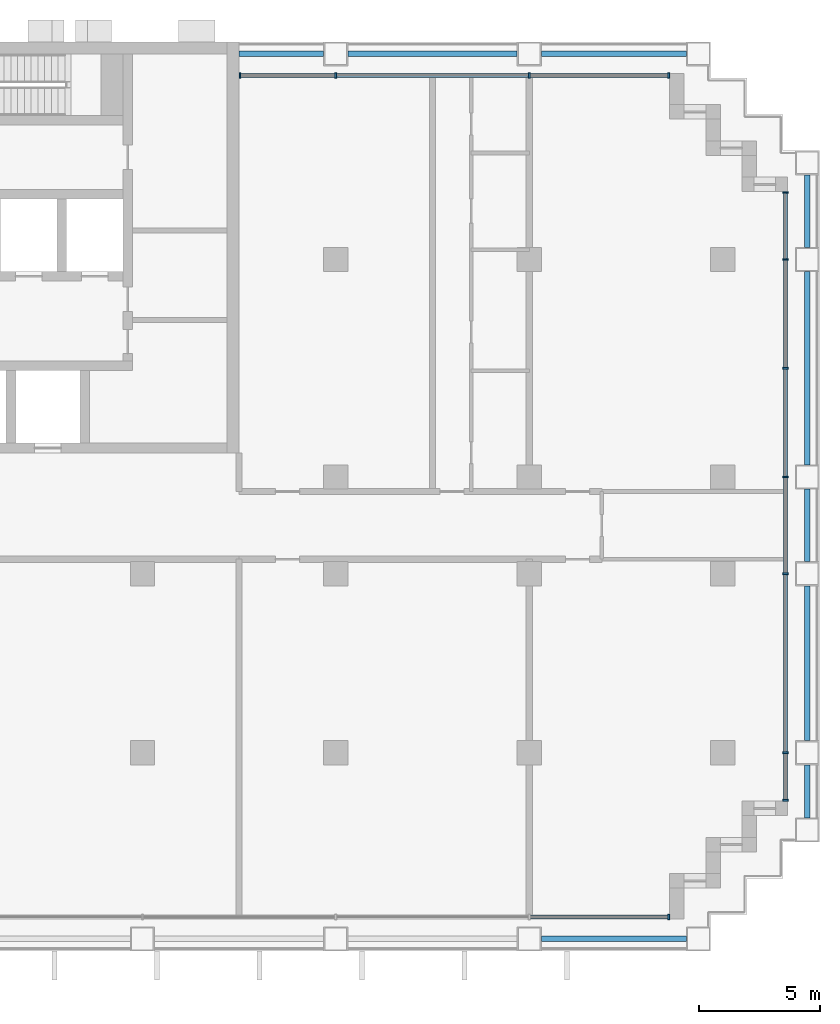
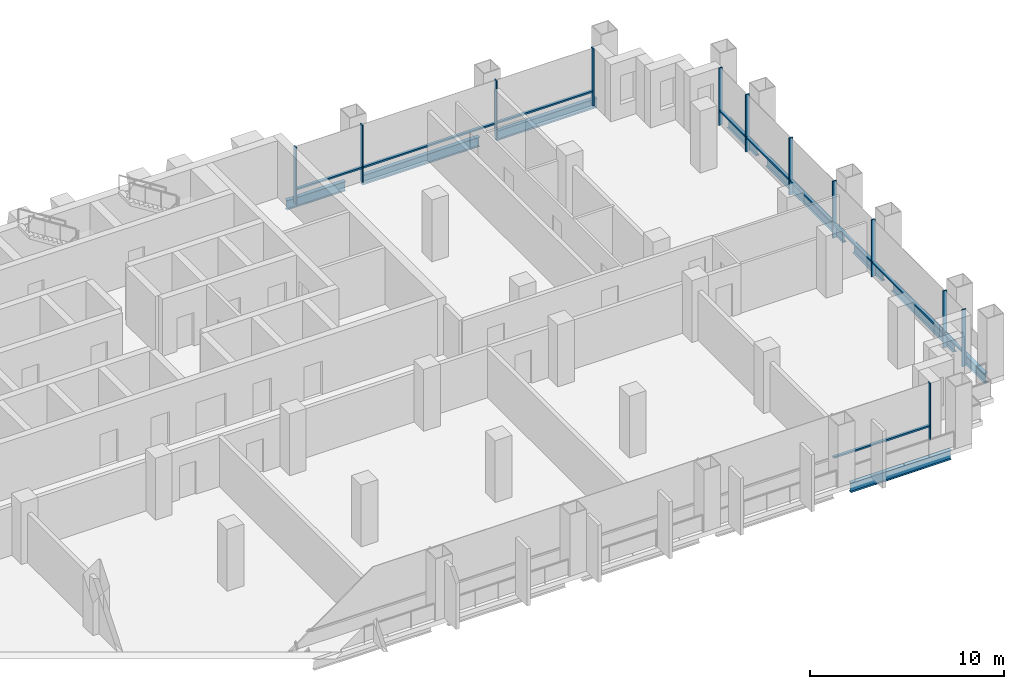
# One storey, part 5 of 13: 22 members, 9 beams, 3 elements without a shape of their own.
"""IFC4 building model written with IfcOpenShell, lengths in metres."""

from ifc_helpers import new_model, si_unit, direction, frame, origin, origin_2d, place, context, subcontext, project, spatial, rectangle, i_section, extrude, material, material_profile, profile_set, type_object, element, aggregate, save


model = new_model("IFC4")

# Units and contexts
model_context = context("Model", 3, precision=1e-05, world=origin(), true_north=direction((0.0, 1.0)))
body_context = subcontext(model_context, "Body", "Model", "MODEL_VIEW")
ifc_project = project(units=[si_unit("LENGTHUNIT", "METRE"), si_unit("AREAUNIT", "SQUARE_METRE"), si_unit("VOLUMEUNIT", "CUBIC_METRE"), si_unit("PLANEANGLEUNIT", "RADIAN"), si_unit("MASSUNIT", "GRAM", prefix="KILO")], contexts=[model_context])

# Site, building, storey
site_placement = place(None, origin())
site = spatial("IfcSite", under=ifc_project, at=site_placement, CompositionType="ELEMENT")
building_placement = place(site_placement, origin())
building = spatial("IfcBuilding", under=site, at=building_placement, Name="Vidyagriha Tower", CompositionType="ELEMENT")
storey_placement = place(building_placement, frame((0.0, 0.0, 33.800048828125)))
storey = spatial("IfcBuildingStorey", under=building, at=storey_placement, Name="L08", CompositionType="ELEMENT", Elevation=33.800048828125)

# Beams
ifc_material_1 = material(Name="Steel ASTM A992 Grade 50", Category="steel")
ifc_material_profile_1 = material_profile(ifc_material_1, i_section(OverallWidth=0.228271484375, OverallDepth=0.607177734375, WebThickness=0.01123046875, FlangeThickness=0.017333984375, at=origin_2d()), Name="W24X76")
ifc_profile_set_1 = profile_set([ifc_material_profile_1], Name="Steel ASTM A992 Grade 50")
beam_type = type_object("IfcBeamType", Name="Edge beam W24X76", PredefinedType="SPANDREL", material=ifc_profile_set_1)
beam_1_placement = place(storey_placement, frame((26.5, -17.10009765625, -0.603515625), z_axis=(1.0, 0.0, 0.0), x_axis=(0.0, 1.0, 0.0)))
element("IfcBeam", 1, at=beam_1_placement, inside=storey, type_object=beam_type, Name="st-beam-L08-S09", PredefinedType="SPANDREL", context=body_context, shape_type="SweptSolid", body=[
    extrude(i_section(OverallWidth=0.228271484375, OverallDepth=0.607177734375, WebThickness=0.01123046875, FlangeThickness=0.017333984375, at=origin_2d()), origin(), (0.0, 0.0, 1.0), 6.0),
])
beam_2_placement = place(storey_placement, frame((37.5, -12.10009765625, -0.603515625), z_axis=(0.0, 1.0, 0.0), x_axis=(-1.0, 0.0, 0.0)))
element("IfcBeam", 2, at=beam_2_placement, inside=storey, type_object=beam_type, Name="st-beam-L08-E15", PredefinedType="SPANDREL", context=body_context, shape_type="SweptSolid", body=[
    extrude(i_section(OverallWidth=0.228271484375, OverallDepth=0.607177734375, WebThickness=0.01123046875, FlangeThickness=0.017333984375, at=origin_2d()), origin(), (0.0, 0.0, 1.0), 2.2001953125),
])
beam_3_placement = place(storey_placement, frame((37.5, -8.89990234375, -0.603515625), z_axis=(0.0, 1.0, 0.0), x_axis=(-1.0, 0.0, 0.0)))
element("IfcBeam", 3, at=beam_3_placement, inside=storey, type_object=beam_type, Name="st-beam-L08-E16", PredefinedType="SPANDREL", context=body_context, shape_type="SweptSolid", body=[
    extrude(i_section(OverallWidth=0.228271484375, OverallDepth=0.607177734375, WebThickness=0.01123046875, FlangeThickness=0.017333984375, at=origin_2d()), origin(), (0.0, 0.0, 1.0), 6.39990234375),
])
beam_4_placement = place(storey_placement, frame((37.5, -1.5, -0.603515625), z_axis=(0.0, 1.0, 0.0), x_axis=(-1.0, 0.0, 0.0)))
element("IfcBeam", 4, at=beam_4_placement, inside=storey, type_object=beam_type, Name="st-beam-L08-E17", PredefinedType="SPANDREL", context=body_context, shape_type="SweptSolid", body=[
    extrude(i_section(OverallWidth=0.228271484375, OverallDepth=0.607177734375, WebThickness=0.01123046875, FlangeThickness=0.017333984375, at=origin_2d()), origin(), (0.0, 0.0, 1.0), 3.0),
])
beam_5_placement = place(storey_placement, frame((37.5, 2.5, -0.603515625), z_axis=(0.0, 1.0, 0.0), x_axis=(-1.0, 0.0, 0.0)))
element("IfcBeam", 5, at=beam_5_placement, inside=storey, type_object=beam_type, Name="st-beam-L08-E18", PredefinedType="SPANDREL", context=body_context, shape_type="SweptSolid", body=[
    extrude(i_section(OverallWidth=0.228271484375, OverallDepth=0.607177734375, WebThickness=0.01123046875, FlangeThickness=0.017333984375, at=origin_2d()), origin(), (0.0, 0.0, 1.0), 8.0),
])
beam_6_placement = place(storey_placement, frame((37.5, 11.5, -0.603515625), z_axis=(0.0, 1.0, 0.0), x_axis=(-1.0, 0.0, 0.0)))
element("IfcBeam", 6, at=beam_6_placement, inside=storey, type_object=beam_type, Name="st-beam-L08-E19", PredefinedType="SPANDREL", context=body_context, shape_type="SweptSolid", body=[
    extrude(i_section(OverallWidth=0.228271484375, OverallDepth=0.607177734375, WebThickness=0.01123046875, FlangeThickness=0.017333984375, at=origin_2d()), origin(), (0.0, 0.0, 1.0), 3.0),
])
beam_7_placement = place(storey_placement, frame((18.5, 19.5, -0.603515625), z_axis=(1.0, 0.0, 0.0), x_axis=(0.0, 1.0, 0.0)))
element("IfcBeam", 7, at=beam_7_placement, inside=storey, type_object=beam_type, Name="st-beam-L08-NE22", PredefinedType="SPANDREL", context=body_context, shape_type="SweptSolid", body=[
    extrude(i_section(OverallWidth=0.228271484375, OverallDepth=0.607177734375, WebThickness=0.01123046875, FlangeThickness=0.017333984375, at=origin_2d()), origin(), (0.0, 0.0, 1.0), 7.0),
])
beam_8_placement = place(storey_placement, frame((26.5, 19.5, -0.603515625), z_axis=(1.0, 0.0, 0.0), x_axis=(0.0, 1.0, 0.0)))
element("IfcBeam", 8, at=beam_8_placement, inside=storey, type_object=beam_type, Name="st-beam-L08-NE23", PredefinedType="SPANDREL", context=body_context, shape_type="SweptSolid", body=[
    extrude(i_section(OverallWidth=0.228271484375, OverallDepth=0.607177734375, WebThickness=0.01123046875, FlangeThickness=0.017333984375, at=origin_2d()), origin(), (0.0, 0.0, 1.0), 6.0),
])
beam_9_placement = place(storey_placement, frame((14.0, 19.5, -0.603515625), z_axis=(1.0, 0.0, 0.0), x_axis=(0.0, 1.0, 0.0)))
element("IfcBeam", 9, at=beam_9_placement, inside=storey, type_object=beam_type, Name="st-beam-L08-NC25", PredefinedType="SPANDREL", context=body_context, shape_type="SweptSolid", body=[
    extrude(i_section(OverallWidth=0.228271484375, OverallDepth=0.607177734375, WebThickness=0.01123046875, FlangeThickness=0.017333984375, at=origin_2d()), origin(), (0.0, 0.0, 1.0), 3.5),
])

# Curtain wall, members
ifc_material_2 = material(Name="Aluminium and glass curtain wall", Category="aluminium")
curtain_wall_type = type_object("IfcCurtainWallType", Name="Classroom skin unitised curtain wall", PredefinedType="USERDEFINED", material=ifc_material_2)
curtain_wall_1_placement = place(storey_placement, origin())
curtain_wall_1 = element("IfcCurtainWall", 10, at=curtain_wall_1_placement, inside=storey, type_object=curtain_wall_type, Name="CW2 classroom skin", ObjectType="UNITISED", PredefinedType="USERDEFINED")
ifc_material_3 = material(Name="Aluminium black anodised", Category="aluminium")
ifc_material_profile_2 = material_profile(ifc_material_3, rectangle(XDim=0.219970703125, YDim=0.070068359375, at=origin_2d()), Name="Mullion 70x220 black aluminium")
ifc_profile_set_2 = profile_set([ifc_material_profile_2], Name="Aluminium black anodised")
member_type_1 = type_object("IfcMemberType", Name="Mullion 70x220 black aluminium", PredefinedType="MULLION", material=ifc_profile_set_2)
member_1_placement = place(storey_placement, frame((31.764892578125, 18.60009765625, 0.0), z_axis=(0.0, 0.0, 1.0), x_axis=(0.0, -1.0, 0.0)))
member_1 = element("IfcMember", 11, at=member_1_placement, type_object=member_type_1, Name="CW2 mullion 1", PredefinedType="MULLION", context=body_context, shape_type="SweptSolid", body=[
    extrude(rectangle(XDim=0.219970703125, YDim=0.070068359375, at=origin_2d()), origin(), (0.0, 0.0, 1.0), 3.599853515625),
])
member_2_placement = place(storey_placement, frame((26.0, 18.60009765625, 0.0), z_axis=(0.0, 0.0, 1.0), x_axis=(0.0, -1.0, 0.0)))
member_2 = element("IfcMember", 12, at=member_2_placement, type_object=member_type_1, Name="CW2 mullion 2", PredefinedType="MULLION", context=body_context, shape_type="SweptSolid", body=[
    extrude(rectangle(XDim=0.219970703125, YDim=0.070068359375, at=origin_2d()), origin(), (0.0, 0.0, 1.0), 3.599853515625),
])
member_3_placement = place(storey_placement, frame((18.0, 18.60009765625, 0.0), z_axis=(0.0, 0.0, 1.0), x_axis=(0.0, -1.0, 0.0)))
member_3 = element("IfcMember", 13, at=member_3_placement, type_object=member_type_1, Name="CW2 mullion 3", PredefinedType="MULLION", context=body_context, shape_type="SweptSolid", body=[
    extrude(rectangle(XDim=0.219970703125, YDim=0.070068359375, at=origin_2d()), origin(), (0.0, 0.0, 1.0), 3.599853515625),
])
member_4_placement = place(storey_placement, frame((14.034912109375, 18.60009765625, 0.0), z_axis=(0.0, 0.0, 1.0), x_axis=(0.0, -1.0, 0.0)))
member_4 = element("IfcMember", 14, at=member_4_placement, type_object=member_type_1, Name="CW2 mullion 4", PredefinedType="MULLION", context=body_context, shape_type="SweptSolid", body=[
    extrude(rectangle(XDim=0.219970703125, YDim=0.070068359375, at=origin_2d()), origin(), (0.0, 0.0, 1.0), 3.599853515625),
])

# Curtain wall, member
curtain_wall_2_placement = place(storey_placement, origin())
curtain_wall_2 = element("IfcCurtainWall", 15, at=curtain_wall_2_placement, inside=storey, type_object=curtain_wall_type, Name="CW2 classroom skin", ObjectType="UNITISED", PredefinedType="USERDEFINED")
member_5_placement = place(storey_placement, frame((31.764892578125, -16.199951171875, 0.0), z_axis=(0.0, 0.0, 1.0), x_axis=(0.0, 1.0, 0.0)))
member_5 = element("IfcMember", 16, at=member_5_placement, type_object=member_type_1, Name="CW2 mullion 10", PredefinedType="MULLION", context=body_context, shape_type="SweptSolid", body=[
    extrude(rectangle(XDim=0.219970703125, YDim=0.070068359375, at=origin_2d()), origin(), (0.0, 0.0, 1.0), 3.599853515625),
])

# Curtain wall, members
curtain_wall_3_placement = place(storey_placement, origin())
curtain_wall_3 = element("IfcCurtainWall", 17, at=curtain_wall_3_placement, inside=storey, type_object=curtain_wall_type, Name="CW2 classroom skin", ObjectType="UNITISED", PredefinedType="USERDEFINED")
member_6_placement = place(storey_placement, frame((36.60009765625, -11.364990234375, 0.0), z_axis=(0.0, 0.0, 1.0), x_axis=(-1.0, 0.0, 0.0)))
member_6 = element("IfcMember", 18, at=member_6_placement, type_object=member_type_1, Name="CW2 mullion 1", PredefinedType="MULLION", context=body_context, shape_type="SweptSolid", body=[
    extrude(rectangle(XDim=0.219970703125, YDim=0.070068359375, at=origin_2d()), origin(), (0.0, 0.0, 1.0), 3.599853515625),
])
member_7_placement = place(storey_placement, frame((36.60009765625, -9.39990234375, 0.0), z_axis=(0.0, 0.0, 1.0), x_axis=(-1.0, 0.0, 0.0)))
member_7 = element("IfcMember", 19, at=member_7_placement, type_object=member_type_1, Name="CW2 mullion 2", PredefinedType="MULLION", context=body_context, shape_type="SweptSolid", body=[
    extrude(rectangle(XDim=0.219970703125, YDim=0.070068359375, at=origin_2d()), origin(), (0.0, 0.0, 1.0), 3.599853515625),
])
member_8_placement = place(storey_placement, frame((36.60009765625, -2.0, 0.0), z_axis=(0.0, 0.0, 1.0), x_axis=(-1.0, 0.0, 0.0)))
member_8 = element("IfcMember", 20, at=member_8_placement, type_object=member_type_1, Name="CW2 mullion 3", PredefinedType="MULLION", context=body_context, shape_type="SweptSolid", body=[
    extrude(rectangle(XDim=0.219970703125, YDim=0.070068359375, at=origin_2d()), origin(), (0.0, 0.0, 1.0), 3.599853515625),
])
member_9_placement = place(storey_placement, frame((36.60009765625, 2.0, 0.0), z_axis=(0.0, 0.0, 1.0), x_axis=(-1.0, 0.0, 0.0)))
member_9 = element("IfcMember", 21, at=member_9_placement, type_object=member_type_1, Name="CW2 mullion 4", PredefinedType="MULLION", context=body_context, shape_type="SweptSolid", body=[
    extrude(rectangle(XDim=0.219970703125, YDim=0.070068359375, at=origin_2d()), origin(), (0.0, 0.0, 1.0), 3.599853515625),
])
member_10_placement = place(storey_placement, frame((36.60009765625, 6.5, 0.0), z_axis=(0.0, 0.0, 1.0), x_axis=(-1.0, 0.0, 0.0)))
member_10 = element("IfcMember", 22, at=member_10_placement, type_object=member_type_1, Name="CW2 mullion 5", PredefinedType="MULLION", context=body_context, shape_type="SweptSolid", body=[
    extrude(rectangle(XDim=0.219970703125, YDim=0.070068359375, at=origin_2d()), origin(), (0.0, 0.0, 1.0), 3.599853515625),
])
member_11_placement = place(storey_placement, frame((36.60009765625, 11.0, 0.0), z_axis=(0.0, 0.0, 1.0), x_axis=(-1.0, 0.0, 0.0)))
member_11 = element("IfcMember", 23, at=member_11_placement, type_object=member_type_1, Name="CW2 mullion 6", PredefinedType="MULLION", context=body_context, shape_type="SweptSolid", body=[
    extrude(rectangle(XDim=0.219970703125, YDim=0.070068359375, at=origin_2d()), origin(), (0.0, 0.0, 1.0), 3.599853515625),
])
member_12_placement = place(storey_placement, frame((36.60009765625, 13.764892578125, 0.0), z_axis=(0.0, 0.0, 1.0), x_axis=(-1.0, 0.0, 0.0)))
member_12 = element("IfcMember", 24, at=member_12_placement, type_object=member_type_1, Name="CW2 mullion 7", PredefinedType="MULLION", context=body_context, shape_type="SweptSolid", body=[
    extrude(rectangle(XDim=0.219970703125, YDim=0.070068359375, at=origin_2d()), origin(), (0.0, 0.0, 1.0), 3.599853515625),
])

# Member
ifc_material_4 = material(Name="Aluminium black anodised", Category="aluminium")
ifc_material_profile_3 = material_profile(ifc_material_4, rectangle(XDim=0.159912109375, YDim=0.10009765625, at=origin_2d()), Name="Transom 100x160 black aluminium")
ifc_profile_set_3 = profile_set([ifc_material_profile_3], Name="Aluminium black anodised")
member_type_2 = type_object("IfcMemberType", Name="Transom 100x160 black aluminium", PredefinedType="USERDEFINED", material=ifc_profile_set_3)
member_13_placement = place(storey_placement, frame((31.72998046875, 18.60009765625, 0.89990234375), z_axis=(-1.0, 0.0, 0.0), x_axis=(0.0, -1.0, 0.0)))
member_13 = element("IfcMember", 25, at=member_13_placement, type_object=member_type_2, Name="CW2 transom 1.1", ObjectType="TRANSOM", PredefinedType="USERDEFINED", context=body_context, shape_type="SweptSolid", body=[
    extrude(rectangle(XDim=0.159912109375, YDim=0.10009765625, at=origin_2d()), origin(), (0.0, 0.0, 1.0), 5.695068359375),
])

member_14_placement = place(storey_placement, frame((25.965087890625, 18.60009765625, 0.89990234375), z_axis=(-1.0, 0.0, 0.0), x_axis=(0.0, -1.0, 0.0)))
member_14 = element("IfcMember", 26, at=member_14_placement, type_object=member_type_2, Name="CW2 transom 2.1", ObjectType="TRANSOM", PredefinedType="USERDEFINED", context=body_context, shape_type="SweptSolid", body=[
    extrude(rectangle(XDim=0.159912109375, YDim=0.10009765625, at=origin_2d()), origin(), (0.0, 0.0, 1.0), 7.93017578125),
])

member_15_placement = place(storey_placement, frame((17.965087890625, 18.60009765625, 0.89990234375), z_axis=(-1.0, 0.0, 0.0), x_axis=(0.0, -1.0, 0.0)))
member_15 = element("IfcMember", 27, at=member_15_placement, type_object=member_type_2, Name="CW2 transom 3.1", ObjectType="TRANSOM", PredefinedType="USERDEFINED", context=body_context, shape_type="SweptSolid", body=[
    extrude(rectangle(XDim=0.159912109375, YDim=0.10009765625, at=origin_2d()), origin(), (0.0, 0.0, 1.0), 3.89501953125),
])

aggregate(curtain_wall_1, [member_1, member_2, member_3, member_4, member_13, member_14, member_15])

member_16_placement = place(storey_placement, frame((26.034912109375, -16.199951171875, 0.89990234375), z_axis=(1.0, 0.0, 0.0), x_axis=(0.0, 1.0, 0.0)))
member_16 = element("IfcMember", 28, at=member_16_placement, type_object=member_type_2, Name="CW2 transom 9.1", ObjectType="TRANSOM", PredefinedType="USERDEFINED", context=body_context, shape_type="SweptSolid", body=[
    extrude(rectangle(XDim=0.159912109375, YDim=0.10009765625, at=origin_2d()), origin(), (0.0, 0.0, 1.0), 5.695068359375),
])

aggregate(curtain_wall_2, [member_5, member_16])

member_17_placement = place(storey_placement, frame((36.60009765625, -11.330078125, 0.89990234375), z_axis=(0.0, 1.0, 0.0), x_axis=(-1.0, 0.0, 0.0)))
member_17 = element("IfcMember", 29, at=member_17_placement, type_object=member_type_2, Name="CW2 transom 1.1", ObjectType="TRANSOM", PredefinedType="USERDEFINED", context=body_context, shape_type="SweptSolid", body=[
    extrude(rectangle(XDim=0.159912109375, YDim=0.10009765625, at=origin_2d()), origin(), (0.0, 0.0, 1.0), 1.89501953125),
])

member_18_placement = place(storey_placement, frame((36.60009765625, -9.364990234375, 0.89990234375), z_axis=(0.0, 1.0, 0.0), x_axis=(-1.0, 0.0, 0.0)))
member_18 = element("IfcMember", 30, at=member_18_placement, type_object=member_type_2, Name="CW2 transom 2.1", ObjectType="TRANSOM", PredefinedType="USERDEFINED", context=body_context, shape_type="SweptSolid", body=[
    extrude(rectangle(XDim=0.159912109375, YDim=0.10009765625, at=origin_2d()), origin(), (0.0, 0.0, 1.0), 7.330078125),
])

member_19_placement = place(storey_placement, frame((36.60009765625, -1.965087890625, 0.89990234375), z_axis=(0.0, 1.0, 0.0), x_axis=(-1.0, 0.0, 0.0)))
member_19 = element("IfcMember", 31, at=member_19_placement, type_object=member_type_2, Name="CW2 transom 3.1", ObjectType="TRANSOM", PredefinedType="USERDEFINED", context=body_context, shape_type="SweptSolid", body=[
    extrude(rectangle(XDim=0.159912109375, YDim=0.10009765625, at=origin_2d()), origin(), (0.0, 0.0, 1.0), 3.93017578125),
])

member_20_placement = place(storey_placement, frame((36.60009765625, 2.034912109375, 0.89990234375), z_axis=(0.0, 1.0, 0.0), x_axis=(-1.0, 0.0, 0.0)))
member_20 = element("IfcMember", 32, at=member_20_placement, type_object=member_type_2, Name="CW2 transom 4.1", ObjectType="TRANSOM", PredefinedType="USERDEFINED", context=body_context, shape_type="SweptSolid", body=[
    extrude(rectangle(XDim=0.159912109375, YDim=0.10009765625, at=origin_2d()), origin(), (0.0, 0.0, 1.0), 4.43017578125),
])

member_21_placement = place(storey_placement, frame((36.60009765625, 6.534912109375, 0.89990234375), z_axis=(0.0, 1.0, 0.0), x_axis=(-1.0, 0.0, 0.0)))
member_21 = element("IfcMember", 33, at=member_21_placement, type_object=member_type_2, Name="CW2 transom 5.1", ObjectType="TRANSOM", PredefinedType="USERDEFINED", context=body_context, shape_type="SweptSolid", body=[
    extrude(rectangle(XDim=0.159912109375, YDim=0.10009765625, at=origin_2d()), origin(), (0.0, 0.0, 1.0), 4.43017578125),
])

member_22_placement = place(storey_placement, frame((36.60009765625, 11.034912109375, 0.89990234375), z_axis=(0.0, 1.0, 0.0), x_axis=(-1.0, 0.0, 0.0)))
member_22 = element("IfcMember", 34, at=member_22_placement, type_object=member_type_2, Name="CW2 transom 6.1", ObjectType="TRANSOM", PredefinedType="USERDEFINED", context=body_context, shape_type="SweptSolid", body=[
    extrude(rectangle(XDim=0.159912109375, YDim=0.10009765625, at=origin_2d()), origin(), (0.0, 0.0, 1.0), 2.695068359375),
])

aggregate(curtain_wall_3, [member_6, member_7, member_8, member_9, member_10, member_11, member_12, member_17, member_18, member_19, member_20, member_21, member_22])

save(model, "model.ifc")
